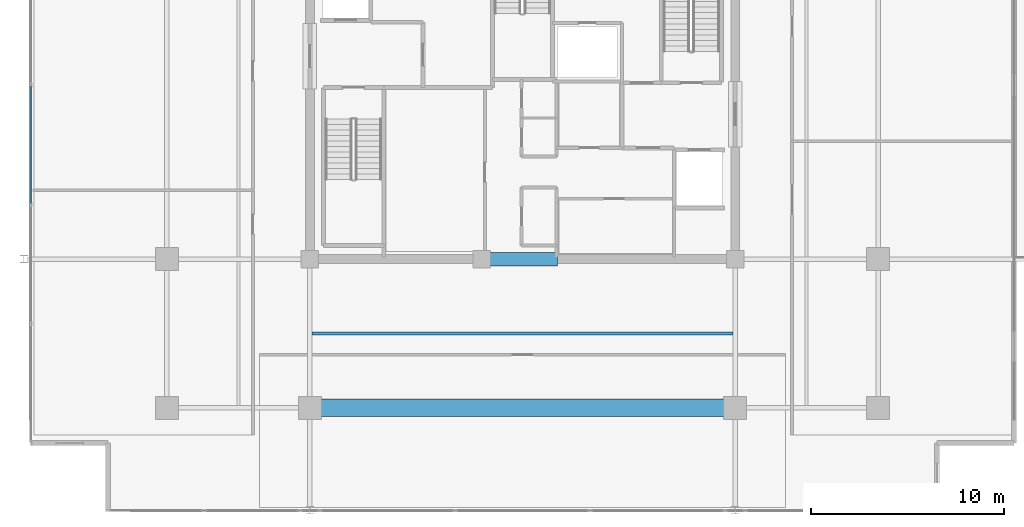
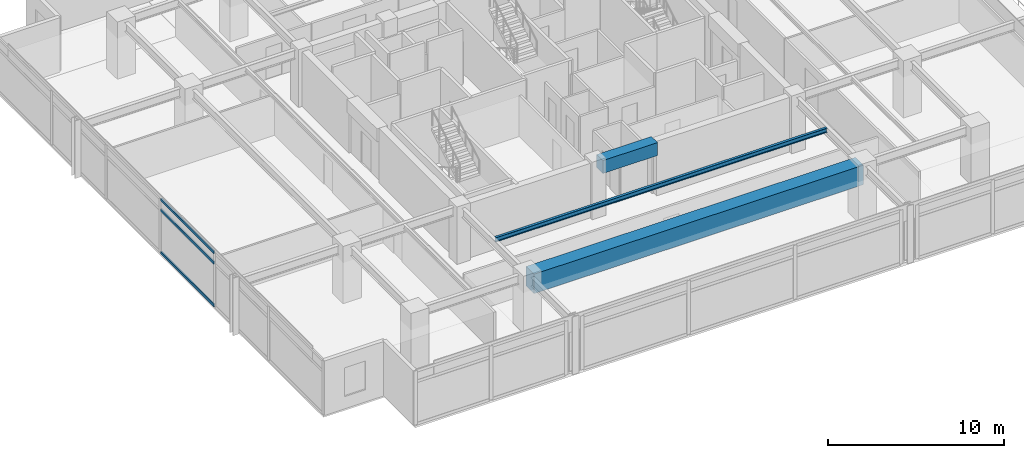
# One storey, part 5 of 20: 3 beams, 3 members, 1 element without a shape of its own.
"""IFC4 building model written with IfcOpenShell, lengths in metres."""

from ifc_helpers import new_model, si_unit, direction, frame, origin, origin_2d, place, context, subcontext, project, spatial, rectangle, hollow_rectangle, i_section, extrude, material, material_profile, profile_set, type_object, element, aggregate, save


model = new_model("IFC4")

# Units and contexts
model_context = context("Model", 3, precision=1e-05, world=origin(), true_north=direction((0.0, 1.0)))
body_context = subcontext(model_context, "Body", "Model", "MODEL_VIEW")
ifc_project = project(units=[si_unit("LENGTHUNIT", "METRE"), si_unit("AREAUNIT", "SQUARE_METRE"), si_unit("VOLUMEUNIT", "CUBIC_METRE"), si_unit("PLANEANGLEUNIT", "RADIAN"), si_unit("MASSUNIT", "GRAM", prefix="KILO")], contexts=[model_context])

# Site, building, storey
site_placement = place(None, origin())
site = spatial("IfcSite", under=ifc_project, at=site_placement, CompositionType="ELEMENT")
building_placement = place(site_placement, origin())
building = spatial("IfcBuilding", under=site, at=building_placement, Name="Kovane Verandah Tower", CompositionType="ELEMENT")
storey_placement = place(building_placement, frame((0.0, 0.0, 287.199951171875)))
storey = spatial("IfcBuildingStorey", under=building, at=storey_placement, Name="L67", CompositionType="ELEMENT", Elevation=287.199951171875)

# Beams
ifc_material_1 = material(Name="Concrete C60/75", Category="concrete")
ifc_material_profile_1 = material_profile(ifc_material_1, rectangle(XDim=0.699951171875, YDim=0.89990234375, at=origin_2d()), Name="RCB700x900")
ifc_profile_set_1 = profile_set([ifc_material_profile_1], Name="Concrete C60/75")
beam_type_1 = type_object("IfcBeamType", Name="BM-LINTEL-700x900", PredefinedType="LINTEL", material=ifc_profile_set_1)
beam_1_placement = place(storey_placement, frame((38.199951171875, 18.5, 3.3349609375), z_axis=(1.0, 0.0, 0.0), x_axis=(0.0, 1.0, 0.0)))
element("IfcBeam", 1, at=beam_1_placement, inside=storey, type_object=beam_type_1, Name="L67 Core Coupling Lintel CL-S", PredefinedType="LINTEL", context=body_context, shape_type="SweptSolid", body=[
    extrude(rectangle(XDim=0.699951171875, YDim=0.89990234375, at=origin_2d()), origin(), (0.0, 0.0, 1.0), 3.60009765625),
])
ifc_material_2 = material(Name="Concrete C80/95", Category="concrete")
ifc_material_profile_2 = material_profile(ifc_material_2, rectangle(XDim=0.89990234375, YDim=1.35009765625, at=origin_2d()), Name="RCB900x1350")
ifc_profile_set_2 = profile_set([ifc_material_profile_2], Name="Concrete C80/95")
beam_type_2 = type_object("IfcBeamType", Name="BM-TR-900x1350", PredefinedType="BEAM", material=ifc_profile_set_2)
beam_2_placement = place(storey_placement, frame((29.179931640625, 10.800048828125, 3.110107421875), z_axis=(1.0, 0.0, 0.0), x_axis=(0.0, 1.0, 0.0)))
element("IfcBeam", 2, at=beam_2_placement, inside=storey, type_object=beam_type_2, Name="L67 Primary Tower Girder G-RS2", PredefinedType="BEAM", context=body_context, shape_type="SweptSolid", body=[
    extrude(rectangle(XDim=0.89990234375, YDim=1.35009765625, at=origin_2d()), origin(), (0.0, 0.0, 1.0), 21.64013671875),
])

# Curtain wall, members
ifc_material_3 = material(Name="Champagne Anodised Aluminium Frame with Low-E Clear Laminated Glass", Category="aluminium")
curtain_wall_type = type_object("IfcCurtainWallType", Name="CW-SYS-05-HIGH", PredefinedType="NOTDEFINED", material=ifc_material_3)
curtain_wall_placement = place(storey_placement, origin())
curtain_wall = element("IfcCurtainWall", 3, at=curtain_wall_placement, inside=storey, type_object=curtain_wall_type, Name="L67 W Unitised Curtain Wall", PredefinedType="NOTDEFINED")
ifc_material_4 = material(Name="Champagne Anodised Aluminium 6063-T6", Category="aluminium")
ifc_material_profile_3 = material_profile(ifc_material_4, hollow_rectangle(XDim=0.0849609375, YDim=0.18994140625, WallThickness=0.00390625, at=origin_2d()), Name="AL85x190x4")
ifc_profile_set_3 = profile_set([ifc_material_profile_3], Name="Champagne Anodised Aluminium 6063-T6")
member_type = type_object("IfcMemberType", Name="CW-TRN-85x190", PredefinedType="USERDEFINED", material=ifc_profile_set_3)
member_1_placement = place(storey_placement, frame((14.5625, 27.449951171875, 0.050048828125), z_axis=(0.0, -1.0, 0.0), x_axis=(1.0, 0.0, 0.0)))
member_1 = element("IfcMember", 4, at=member_1_placement, type_object=member_type, Name="L67 W Unitised Curtain Wall Transom TB Bay 4", ObjectType="TRANSOM", PredefinedType="USERDEFINED", context=body_context, shape_type="SweptSolid", body=[
    extrude(hollow_rectangle(XDim=0.0849609375, YDim=0.18994140625, WallThickness=0.00390625, at=origin_2d()), origin(), (0.0, 0.0, 1.0), 6.0712890625),
])
member_2_placement = place(storey_placement, frame((14.5625, 27.449951171875, 3.005126953125), z_axis=(0.0, -1.0, 0.0), x_axis=(1.0, 0.0, 0.0)))
member_2 = element("IfcMember", 5, at=member_2_placement, type_object=member_type, Name="L67 W Unitised Curtain Wall Transom TM Bay 4", ObjectType="TRANSOM", PredefinedType="USERDEFINED", context=body_context, shape_type="SweptSolid", body=[
    extrude(hollow_rectangle(XDim=0.0849609375, YDim=0.18994140625, WallThickness=0.00390625, at=origin_2d()), origin(), (0.0, 0.0, 1.0), 6.0712890625),
])
member_3_placement = place(storey_placement, frame((14.5625, 27.449951171875, 3.735107421875), z_axis=(0.0, -1.0, 0.0), x_axis=(1.0, 0.0, 0.0)))
member_3 = element("IfcMember", 6, at=member_3_placement, type_object=member_type, Name="L67 W Unitised Curtain Wall Transom TT Bay 4", ObjectType="TRANSOM", PredefinedType="USERDEFINED", context=body_context, shape_type="SweptSolid", body=[
    extrude(hollow_rectangle(XDim=0.0849609375, YDim=0.18994140625, WallThickness=0.00390625, at=origin_2d()), origin(), (0.0, 0.0, 1.0), 6.0712890625),
])
aggregate(curtain_wall, [member_1, member_2, member_3])

# Beam
ifc_material_5 = material(Name="Steel S355", Category="steel")
ifc_material_profile_4 = material_profile(ifc_material_5, i_section(OverallWidth=0.1669921875, OverallDepth=0.310302734375, WebThickness=0.0078125, FlangeThickness=0.013671875, FilletRadius=0.0087890625, at=origin_2d()), Name="UB305x165x54")
ifc_profile_set_4 = profile_set([ifc_material_profile_4], Name="Steel S355")
beam_type_3 = type_object("IfcBeamType", Name="JST-UB305x54", PredefinedType="JOIST", material=ifc_profile_set_4)
beam_3_placement = place(storey_placement, frame((29.113037109375, 14.64990234375, 3.6298828125), z_axis=(1.0, 0.0, 0.0), x_axis=(0.0, 1.0, 0.0)))
element("IfcBeam", 7, at=beam_3_placement, inside=storey, type_object=beam_type_3, Name="L67 Secondary Composite Joist J-S1", PredefinedType="JOIST", context=body_context, shape_type="SweptSolid", body=[
    extrude(i_section(OverallWidth=0.1669921875, OverallDepth=0.310302734375, WebThickness=0.0078125, FlangeThickness=0.013671875, FilletRadius=0.0087890625, at=origin_2d()), origin(), (0.0, 0.0, 1.0), 21.77392578125),
])

save(model, "model.ifc")
